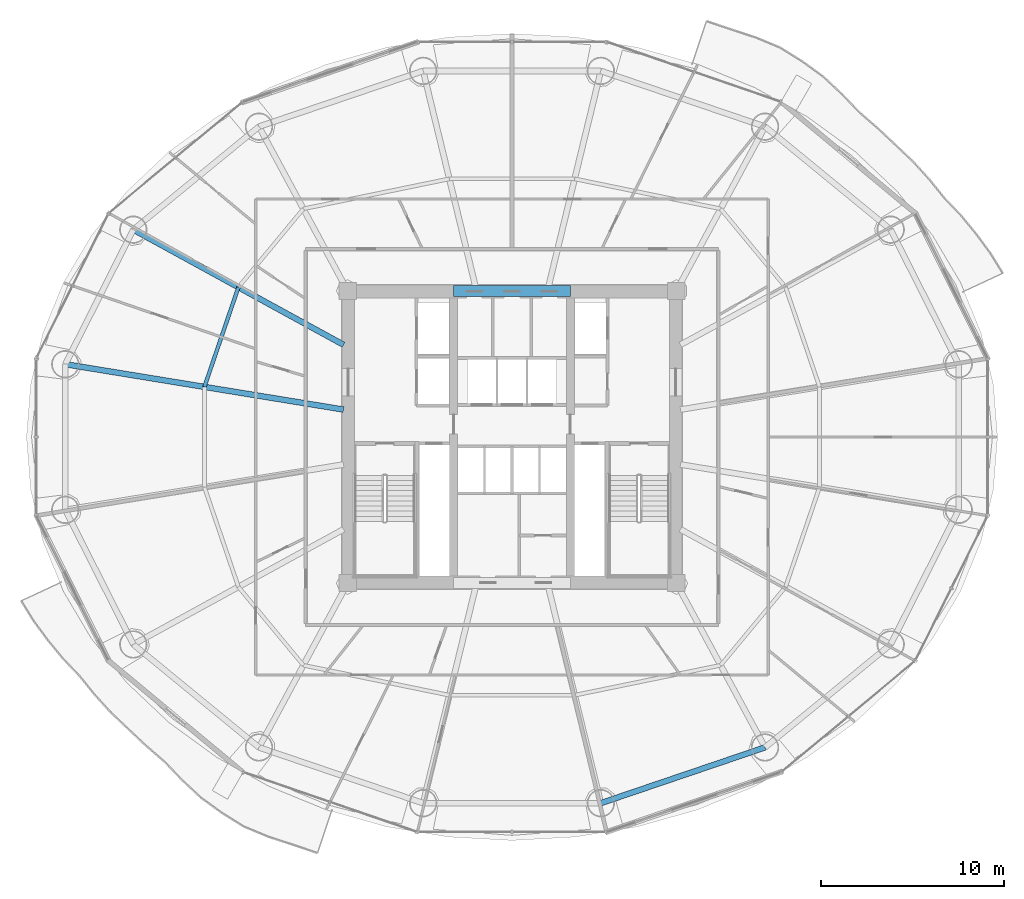
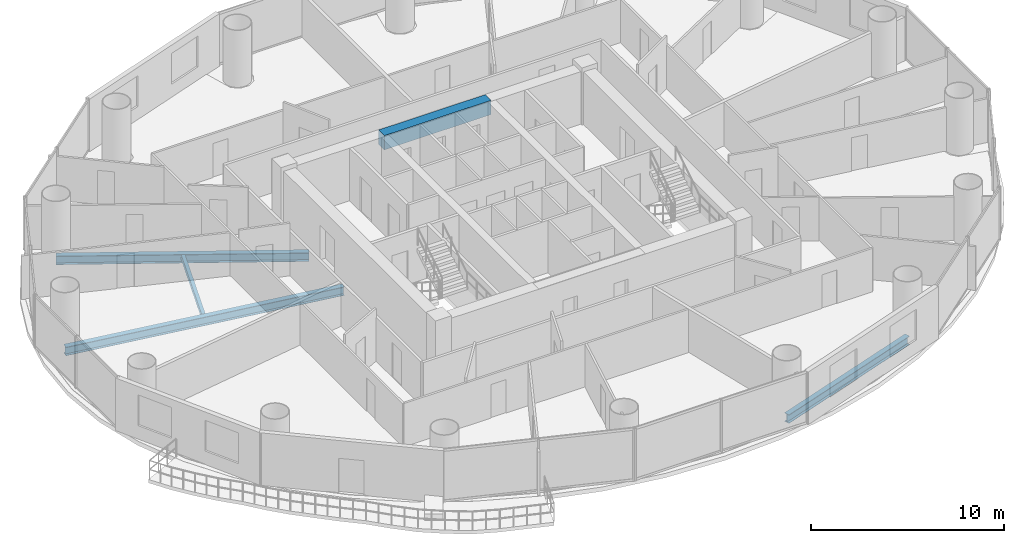
# One storey, part 10 of 29: 5 beams.
"""IFC4 building model written with IfcOpenShell, lengths in metres."""

from ifc_helpers import new_model, si_unit, direction, frame, origin, origin_2d, place, context, subcontext, project, spatial, rectangle, i_section, extrude, material, material_profile, profile_set, type_object, element, save


model = new_model("IFC4")

# Units and contexts
model_context = context("Model", 3, precision=1e-05, world=origin(), true_north=direction((-0.2419218956, 0.970295726276)))
body_context = subcontext(model_context, "Body", "Model", "MODEL_VIEW")
ifc_project = project(units=[si_unit("LENGTHUNIT", "METRE"), si_unit("AREAUNIT", "SQUARE_METRE"), si_unit("VOLUMEUNIT", "CUBIC_METRE"), si_unit("PLANEANGLEUNIT", "RADIAN"), si_unit("MASSUNIT", "GRAM", prefix="KILO")], contexts=[model_context])

# Site, building, storey
site_placement = place(None, origin())
site = spatial("IfcSite", under=ifc_project, at=site_placement, CompositionType="ELEMENT")
building_placement = place(site_placement, origin())
building = spatial("IfcBuilding", under=site, at=building_placement, Name="Cobrevalo Terracotta Tower", CompositionType="ELEMENT")
storey_placement = place(building_placement, frame((0.0, 0.0, 87.0)))
storey = spatial("IfcBuildingStorey", under=building, at=storey_placement, Name="L22", CompositionType="ELEMENT", Elevation=87.0)

# Beams
ifc_material_1 = material(Name="Concrete C60", Category="concrete")
ifc_material_profile_1 = material_profile(ifc_material_1, rectangle(XDim=0.60009765625, YDim=0.89990234375, at=origin_2d()), Name="RC CB 600x900")
ifc_profile_set_1 = profile_set([ifc_material_profile_1], Name="Concrete C60")
beam_type_1 = type_object("IfcBeamType", Name="Structural Beam RC CB 600x900 (Concrete C60)", PredefinedType="BEAM", material=ifc_profile_set_1)
beam_1_placement = place(storey_placement, frame((34.800048828125, 34.800048828125, 2.875), z_axis=(1.0, 0.0, 0.0), x_axis=(0.0, 1.0, 0.0)))
element("IfcBeam", 1, at=beam_1_placement, inside=storey, type_object=beam_type_1, Name="L22 core coupling beam 2", PredefinedType="BEAM", context=body_context, shape_type="SweptSolid", body=[
    extrude(rectangle(XDim=0.60009765625, YDim=0.89990234375, at=origin_2d()), origin(), (0.0, 0.0, 1.0), 6.39990234375),
])
ifc_material_2 = material(Name="Steel S355", Category="steel")
ifc_material_profile_2 = material_profile(ifc_material_2, i_section(OverallWidth=0.31201171875, OverallDepth=0.54296875, WebThickness=0.0126953125, FlangeThickness=0.020263671875, at=origin_2d()), Name="W 530x150")
ifc_profile_set_2 = profile_set([ifc_material_profile_2], Name="Steel S355")
beam_type_2 = type_object("IfcBeamType", Name="Structural Beam W 530x150 (Steel S355)", PredefinedType="BEAM", material=ifc_profile_set_2)
beam_2_placement = place(storey_placement, frame((17.2548828125, 38.161376953125, -0.54638671875), z_axis=(0.877080599376, -0.480343233738, 0.0), x_axis=(0.480343233738, 0.877080599376, 0.0)))
element("IfcBeam", 2, at=beam_2_placement, inside=storey, type_object=beam_type_2, Name="L22 radial floor girder 07", PredefinedType="BEAM", context=body_context, shape_type="SweptSolid", body=[
    extrude(i_section(OverallWidth=0.31201171875, OverallDepth=0.54296875, WebThickness=0.0126953125, FlangeThickness=0.020263671875, at=origin_2d()), origin(), (0.0, 0.0, 1.0), 13.12890625),
])
beam_3_placement = place(storey_placement, frame((13.529296875, 30.78955078125, -0.54638671875), z_axis=(0.986970567439, -0.160900898101, 0.0), x_axis=(0.160900898101, 0.986970567439, 0.0)))
element("IfcBeam", 3, at=beam_3_placement, inside=storey, type_object=beam_type_2, Name="L22 radial floor girder 08", PredefinedType="BEAM", context=body_context, shape_type="SweptSolid", body=[
    extrude(i_section(OverallWidth=0.31201171875, OverallDepth=0.54296875, WebThickness=0.0126953125, FlangeThickness=0.020263671875, at=origin_2d()), origin(), (0.0, 0.0, 1.0), 15.44189453125),
])
ifc_material_profile_3 = material_profile(ifc_material_2, i_section(OverallWidth=0.2041015625, OverallDepth=0.305908203125, WebThickness=0.008544921875, FlangeThickness=0.0146484375, at=origin_2d()), Name="W 310x67")
ifc_profile_set_3 = profile_set([ifc_material_profile_3], Name="Steel S355")
beam_type_3 = type_object("IfcBeamType", Name="Structural Joist W 310x67 (Steel S355)", PredefinedType="JOIST", material=ifc_profile_set_3)
beam_4_placement = place(storey_placement, frame((23.012451171875, 35.00830078125, -0.427978515625), z_axis=(-0.322833299398, -0.94645584197, 0.0), x_axis=(0.94645584197, -0.322833299398, 0.0)))
element("IfcBeam", 4, at=beam_4_placement, inside=storey, type_object=beam_type_3, Name="L22 circumferential secondary floor joist 07", PredefinedType="JOIST", context=body_context, shape_type="SweptSolid", body=[
    extrude(i_section(OverallWidth=0.2041015625, OverallDepth=0.305908203125, WebThickness=0.008544921875, FlangeThickness=0.0146484375, at=origin_2d()), origin(), (0.0, 0.0, 1.0), 5.77001953125),
])
ifc_material_profile_4 = material_profile(ifc_material_2, i_section(OverallWidth=0.31201171875, OverallDepth=0.54296875, WebThickness=0.0126953125, FlangeThickness=0.020263671875, at=origin_2d()), Name="W 530x150")
ifc_profile_set_4 = profile_set([ifc_material_profile_4], Name="Steel S355")
beam_type_4 = type_object("IfcBeamType", Name="Structural Spandrel W 530x150 (Steel S355)", PredefinedType="SPANDREL", material=ifc_profile_set_4)
beam_5_placement = place(storey_placement, frame((42.867431640625, 6.742919921875, -0.54638671875), z_axis=(0.94691835344, 0.321474154356, 0.0), x_axis=(-0.321474154356, 0.94691835344, 0.0)))
element("IfcBeam", 5, at=beam_5_placement, inside=storey, type_object=beam_type_4, Name="L22 perimeter ring spandrel 13", PredefinedType="SPANDREL", context=body_context, shape_type="SweptSolid", body=[
    extrude(i_section(OverallWidth=0.31201171875, OverallDepth=0.54296875, WebThickness=0.0126953125, FlangeThickness=0.020263671875, at=origin_2d()), origin(), (0.0, 0.0, 1.0), 9.498291015625),
])

save(model, "model.ifc")
